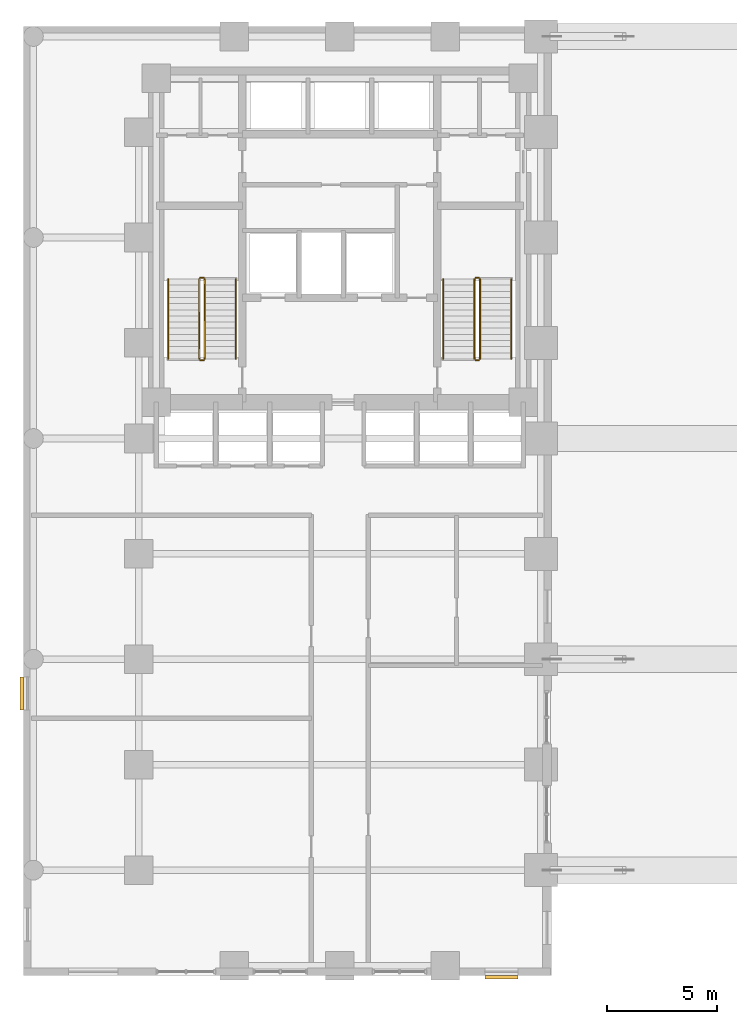
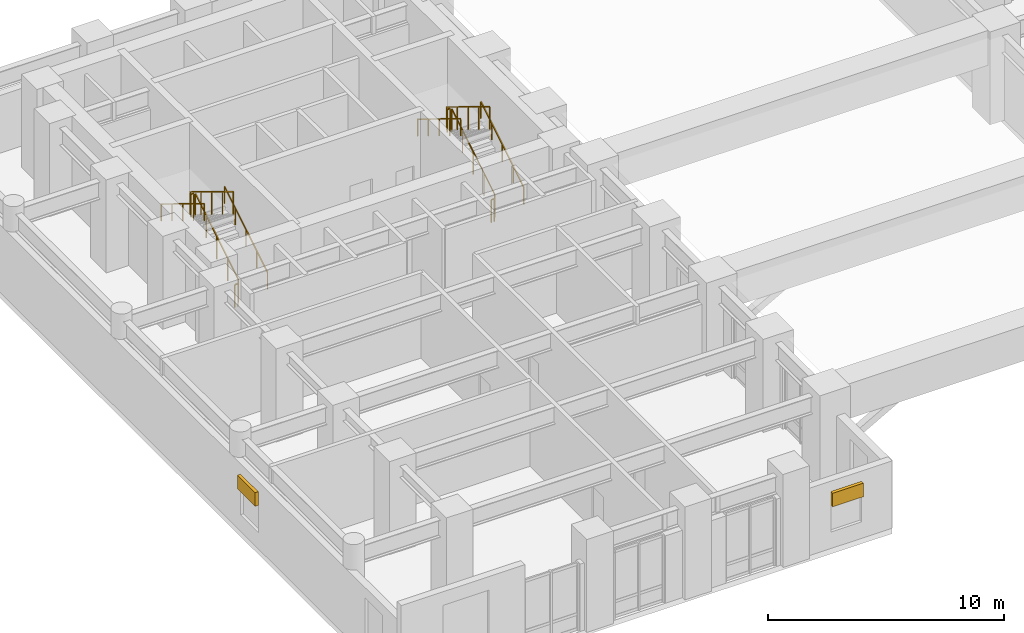
# One storey, part 10 of 12: 12 railings, 2 shading devices.
"""IFC4 building model written with IfcOpenShell, lengths in metres."""

from ifc_helpers import new_model, si_unit, direction, frame, origin, origin_2d, place, context, subcontext, project, spatial, rectangle, extrude, material, type_object, element, save


model = new_model("IFC4")

# Units and contexts
model_context = context("Model", 3, precision=1e-05, world=origin(), true_north=direction((0.0, 1.0)))
body_context = subcontext(model_context, "Body", "Model", "MODEL_VIEW")
ifc_project = project(units=[si_unit("LENGTHUNIT", "METRE"), si_unit("AREAUNIT", "SQUARE_METRE"), si_unit("VOLUMEUNIT", "CUBIC_METRE"), si_unit("PLANEANGLEUNIT", "RADIAN"), si_unit("MASSUNIT", "GRAM", prefix="KILO")], contexts=[model_context])

# Site, building, storey
site_placement = place(None, origin())
site = spatial("IfcSite", under=ifc_project, at=site_placement, CompositionType="ELEMENT")
building_placement = place(site_placement, origin())
building = spatial("IfcBuilding", under=site, at=building_placement, Name="Orvandelia Arch Residences", CompositionType="ELEMENT")
storey_placement = place(building_placement, frame((0.0, 0.0, 10.0)))
storey = spatial("IfcBuildingStorey", under=building, at=storey_placement, Name="L02", CompositionType="ELEMENT", Elevation=10.0)

# Railings
ifc_material_1 = material(Name="Brushed Stainless Steel 304", Category="steel")
railing_type_1 = type_object("IfcRailingType", Name="RL-STAIR-GD1120", PredefinedType="GUARDRAIL", material=ifc_material_1)
railing_1_placement = place(storey_placement, frame((8.25, 32.8701171875, 0.17138671875)))
element("IfcRailing", 1, at=railing_1_placement, inside=storey, type_object=railing_type_1, Name="L02 ST-1 stair guard 1", PredefinedType="GUARDRAIL", context=body_context, shape_type="SweptSolid", body=[
    extrude(rectangle(XDim=0.048095703125, YDim=0.048095703125, at=origin_2d()), frame((0.0, 0.0, 1.17578125), z_axis=(0.0, 0.852850264322, 0.5221555579), x_axis=(-1.0, 0.0, 0.0)), (0.0, 0.0, 1.0), 4.267822265625),
    extrude(rectangle(XDim=0.0419921875, YDim=0.0419921875, at=origin_2d()), origin(), (0.0, 0.0, 1.0), 1.15185546875),
    extrude(rectangle(XDim=0.0419921875, YDim=0.0419921875, at=origin_2d()), frame((0.0, 0.909912109375, 0.55712890625)), (0.0, 0.0, 1.0), 1.15185546875),
    extrude(rectangle(XDim=0.0419921875, YDim=0.0419921875, at=origin_2d()), frame((0.0, 1.81982421875, 1.1142578125)), (0.0, 0.0, 1.0), 1.15185546875),
    extrude(rectangle(XDim=0.0419921875, YDim=0.0419921875, at=origin_2d()), frame((0.0, 2.72998046875, 1.67138671875)), (0.0, 0.0, 1.0), 1.15185546875),
    extrude(rectangle(XDim=0.0419921875, YDim=0.0419921875, at=origin_2d()), frame((0.0, 3.639892578125, 2.228515625)), (0.0, 0.0, 1.0), 1.15185546875),
])
railing_2_placement = place(storey_placement, frame((8.199951171875, 36.56005859375, 2.39990234375)))
element("IfcRailing", 2, at=railing_2_placement, inside=storey, type_object=railing_type_1, Name="L02 ST-1 stair guard 2", PredefinedType="GUARDRAIL", context=body_context, shape_type="SweptSolid", body=[
    extrude(rectangle(XDim=0.048095703125, YDim=0.048095703125, at=origin_2d()), frame((0.0, 0.0, 1.17578125), z_axis=(-1.0, 0.0, 0.0), x_axis=(0.0, -1.0, 0.0)), (0.0, 0.0, 1.0), 0.14990234375),
    extrude(rectangle(XDim=0.0419921875, YDim=0.0419921875, at=origin_2d()), origin(), (0.0, 0.0, 1.0), 1.15185546875),
    extrude(rectangle(XDim=0.0419921875, YDim=0.0419921875, at=origin_2d()), frame((-0.14990234375, 0.0, 0.0)), (0.0, 0.0, 1.0), 1.15185546875),
])
railing_3_placement = place(storey_placement, frame((8.0, 36.510009765625, 2.571533203125)))
element("IfcRailing", 3, at=railing_3_placement, inside=storey, type_object=railing_type_1, Name="L02 ST-1 stair guard 3", PredefinedType="GUARDRAIL", context=body_context, shape_type="SweptSolid", body=[
    extrude(rectangle(XDim=0.048095703125, YDim=0.048095703125, at=origin_2d()), frame((0.0, 0.0, 1.17578125), z_axis=(0.0, -0.852850264322, 0.5221555579), x_axis=(1.0, 0.0, 0.0)), (0.0, 0.0, 1.0), 4.267822265625),
    extrude(rectangle(XDim=0.0419921875, YDim=0.0419921875, at=origin_2d()), origin(), (0.0, 0.0, 1.0), 1.15185546875),
    extrude(rectangle(XDim=0.0419921875, YDim=0.0419921875, at=origin_2d()), frame((0.0, -0.909912109375, 0.55712890625)), (0.0, 0.0, 1.0), 1.15185546875),
    extrude(rectangle(XDim=0.0419921875, YDim=0.0419921875, at=origin_2d()), frame((0.0, -1.81982421875, 1.1142578125)), (0.0, 0.0, 1.0), 1.15185546875),
    extrude(rectangle(XDim=0.0419921875, YDim=0.0419921875, at=origin_2d()), frame((0.0, -2.72998046875, 1.67138671875)), (0.0, 0.0, 1.0), 1.15185546875),
    extrude(rectangle(XDim=0.0419921875, YDim=0.0419921875, at=origin_2d()), frame((0.0, -3.639892578125, 2.228515625)), (0.0, 0.0, 1.0), 1.15185546875),
])
railing_4_placement = place(storey_placement, frame((8.199951171875, 32.820068359375, 0.0)))
element("IfcRailing", 4, at=railing_4_placement, inside=storey, type_object=railing_type_1, Name="L02 ST-1 stair guard 4", PredefinedType="GUARDRAIL", context=body_context, shape_type="SweptSolid", body=[
    extrude(rectangle(XDim=0.048095703125, YDim=0.048095703125, at=origin_2d()), frame((0.0, 0.0, 1.17578125), z_axis=(-1.0, 0.0, 0.0), x_axis=(0.0, -1.0, 0.0)), (0.0, 0.0, 1.0), 0.14990234375),
    extrude(rectangle(XDim=0.0419921875, YDim=0.0419921875, at=origin_2d()), origin(), (0.0, 0.0, 1.0), 1.15185546875),
    extrude(rectangle(XDim=0.0419921875, YDim=0.0419921875, at=origin_2d()), frame((-0.14990234375, 0.0, 0.0)), (0.0, 0.0, 1.0), 1.15185546875),
])
railing_5_placement = place(storey_placement, frame((20.780029296875, 32.8701171875, 0.17138671875)))
element("IfcRailing", 5, at=railing_5_placement, inside=storey, type_object=railing_type_1, Name="L02 ST-2 stair guard 1", PredefinedType="GUARDRAIL", context=body_context, shape_type="SweptSolid", body=[
    extrude(rectangle(XDim=0.048095703125, YDim=0.048095703125, at=origin_2d()), frame((0.0, 0.0, 1.17578125), z_axis=(0.0, 0.852850264322, 0.5221555579), x_axis=(-1.0, 0.0, 0.0)), (0.0, 0.0, 1.0), 4.267822265625),
    extrude(rectangle(XDim=0.0419921875, YDim=0.0419921875, at=origin_2d()), origin(), (0.0, 0.0, 1.0), 1.15185546875),
    extrude(rectangle(XDim=0.0419921875, YDim=0.0419921875, at=origin_2d()), frame((0.0, 0.909912109375, 0.55712890625)), (0.0, 0.0, 1.0), 1.15185546875),
    extrude(rectangle(XDim=0.0419921875, YDim=0.0419921875, at=origin_2d()), frame((0.0, 1.81982421875, 1.1142578125)), (0.0, 0.0, 1.0), 1.15185546875),
    extrude(rectangle(XDim=0.0419921875, YDim=0.0419921875, at=origin_2d()), frame((0.0, 2.72998046875, 1.67138671875)), (0.0, 0.0, 1.0), 1.15185546875),
    extrude(rectangle(XDim=0.0419921875, YDim=0.0419921875, at=origin_2d()), frame((0.0, 3.639892578125, 2.228515625)), (0.0, 0.0, 1.0), 1.15185546875),
])
railing_6_placement = place(storey_placement, frame((20.72998046875, 36.56005859375, 2.39990234375)))
element("IfcRailing", 6, at=railing_6_placement, inside=storey, type_object=railing_type_1, Name="L02 ST-2 stair guard 2", PredefinedType="GUARDRAIL", context=body_context, shape_type="SweptSolid", body=[
    extrude(rectangle(XDim=0.048095703125, YDim=0.048095703125, at=origin_2d()), frame((0.0, 0.0, 1.17578125), z_axis=(-1.0, 0.0, 0.0), x_axis=(0.0, -1.0, 0.0)), (0.0, 0.0, 1.0), 0.14990234375),
    extrude(rectangle(XDim=0.0419921875, YDim=0.0419921875, at=origin_2d()), origin(), (0.0, 0.0, 1.0), 1.15185546875),
    extrude(rectangle(XDim=0.0419921875, YDim=0.0419921875, at=origin_2d()), frame((-0.14990234375, 0.0, 0.0)), (0.0, 0.0, 1.0), 1.15185546875),
])
railing_7_placement = place(storey_placement, frame((20.530029296875, 36.510009765625, 2.571533203125)))
element("IfcRailing", 7, at=railing_7_placement, inside=storey, type_object=railing_type_1, Name="L02 ST-2 stair guard 3", PredefinedType="GUARDRAIL", context=body_context, shape_type="SweptSolid", body=[
    extrude(rectangle(XDim=0.048095703125, YDim=0.048095703125, at=origin_2d()), frame((0.0, 0.0, 1.17578125), z_axis=(0.0, -0.852850264322, 0.5221555579), x_axis=(1.0, 0.0, 0.0)), (0.0, 0.0, 1.0), 4.267822265625),
    extrude(rectangle(XDim=0.0419921875, YDim=0.0419921875, at=origin_2d()), origin(), (0.0, 0.0, 1.0), 1.15185546875),
    extrude(rectangle(XDim=0.0419921875, YDim=0.0419921875, at=origin_2d()), frame((0.0, -0.909912109375, 0.55712890625)), (0.0, 0.0, 1.0), 1.15185546875),
    extrude(rectangle(XDim=0.0419921875, YDim=0.0419921875, at=origin_2d()), frame((0.0, -1.81982421875, 1.1142578125)), (0.0, 0.0, 1.0), 1.15185546875),
    extrude(rectangle(XDim=0.0419921875, YDim=0.0419921875, at=origin_2d()), frame((0.0, -2.72998046875, 1.67138671875)), (0.0, 0.0, 1.0), 1.15185546875),
    extrude(rectangle(XDim=0.0419921875, YDim=0.0419921875, at=origin_2d()), frame((0.0, -3.639892578125, 2.228515625)), (0.0, 0.0, 1.0), 1.15185546875),
])
railing_8_placement = place(storey_placement, frame((20.72998046875, 32.820068359375, 0.0)))
element("IfcRailing", 8, at=railing_8_placement, inside=storey, type_object=railing_type_1, Name="L02 ST-2 stair guard 4", PredefinedType="GUARDRAIL", context=body_context, shape_type="SweptSolid", body=[
    extrude(rectangle(XDim=0.048095703125, YDim=0.048095703125, at=origin_2d()), frame((0.0, 0.0, 1.17578125), z_axis=(-1.0, 0.0, 0.0), x_axis=(0.0, -1.0, 0.0)), (0.0, 0.0, 1.0), 0.14990234375),
    extrude(rectangle(XDim=0.0419921875, YDim=0.0419921875, at=origin_2d()), origin(), (0.0, 0.0, 1.0), 1.15185546875),
    extrude(rectangle(XDim=0.0419921875, YDim=0.0419921875, at=origin_2d()), frame((-0.14990234375, 0.0, 0.0)), (0.0, 0.0, 1.0), 1.15185546875),
])
railing_type_2 = type_object("IfcRailingType", Name="RL-STAIR-HR920", PredefinedType="HANDRAIL", material=ifc_material_1)
railing_9_placement = place(storey_placement, frame((9.669921875, 32.8701171875, 0.3427734375)))
element("IfcRailing", 9, at=railing_9_placement, inside=storey, type_object=railing_type_2, Name="L02 ST-1 stair handrail 1", PredefinedType="HANDRAIL", context=body_context, shape_type="SweptSolid", body=[
    extrude(rectangle(XDim=0.048095703125, YDim=0.048095703125, at=origin_2d()), frame((0.0, 0.0, 0.8759765625), z_axis=(0.0, 0.852824790078, 0.522197163366), x_axis=(-1.0, 0.0, 0.0)), (0.0, 0.0, 1.0), 4.26806640625),
    extrude(rectangle(XDim=0.0419921875, YDim=0.0419921875, at=origin_2d()), origin(), (0.0, 0.0, 1.0), 0.851806640625),
    extrude(rectangle(XDim=0.0419921875, YDim=0.0419921875, at=origin_2d()), frame((0.0, 0.909912109375, 0.55712890625)), (0.0, 0.0, 1.0), 0.851806640625),
    extrude(rectangle(XDim=0.0419921875, YDim=0.0419921875, at=origin_2d()), frame((0.0, 1.81982421875, 1.1142578125)), (0.0, 0.0, 1.0), 0.851806640625),
    extrude(rectangle(XDim=0.0419921875, YDim=0.0419921875, at=origin_2d()), frame((0.0, 2.72998046875, 1.671630859375)), (0.0, 0.0, 1.0), 0.851806640625),
    extrude(rectangle(XDim=0.0419921875, YDim=0.0419921875, at=origin_2d()), frame((0.0, 3.639892578125, 2.228759765625)), (0.0, 0.0, 1.0), 0.851806640625),
])
railing_10_placement = place(storey_placement, frame((6.580078125, 36.510009765625, 2.742919921875)))
element("IfcRailing", 10, at=railing_10_placement, inside=storey, type_object=railing_type_2, Name="L02 ST-1 stair handrail 2", PredefinedType="HANDRAIL", context=body_context, shape_type="SweptSolid", body=[
    extrude(rectangle(XDim=0.048095703125, YDim=0.048095703125, at=origin_2d()), frame((0.0, 0.0, 0.8759765625), z_axis=(0.0, -0.852850264322, 0.5221555579), x_axis=(1.0, 0.0, 0.0)), (0.0, 0.0, 1.0), 4.267822265625),
    extrude(rectangle(XDim=0.0419921875, YDim=0.0419921875, at=origin_2d()), origin(), (0.0, 0.0, 1.0), 0.851806640625),
    extrude(rectangle(XDim=0.0419921875, YDim=0.0419921875, at=origin_2d()), frame((0.0, -0.909912109375, 0.55712890625)), (0.0, 0.0, 1.0), 0.851806640625),
    extrude(rectangle(XDim=0.0419921875, YDim=0.0419921875, at=origin_2d()), frame((0.0, -1.81982421875, 1.1142578125)), (0.0, 0.0, 1.0), 0.851806640625),
    extrude(rectangle(XDim=0.0419921875, YDim=0.0419921875, at=origin_2d()), frame((0.0, -2.72998046875, 1.67138671875)), (0.0, 0.0, 1.0), 0.851806640625),
    extrude(rectangle(XDim=0.0419921875, YDim=0.0419921875, at=origin_2d()), frame((0.0, -3.639892578125, 2.228515625)), (0.0, 0.0, 1.0), 0.851806640625),
])
railing_11_placement = place(storey_placement, frame((22.199951171875, 32.8701171875, 0.3427734375)))
element("IfcRailing", 11, at=railing_11_placement, inside=storey, type_object=railing_type_2, Name="L02 ST-2 stair handrail 1", PredefinedType="HANDRAIL", context=body_context, shape_type="SweptSolid", body=[
    extrude(rectangle(XDim=0.048095703125, YDim=0.048095703125, at=origin_2d()), frame((0.0, 0.0, 0.8759765625), z_axis=(0.0, 0.852824790078, 0.522197163366), x_axis=(-1.0, 0.0, 0.0)), (0.0, 0.0, 1.0), 4.26806640625),
    extrude(rectangle(XDim=0.0419921875, YDim=0.0419921875, at=origin_2d()), origin(), (0.0, 0.0, 1.0), 0.851806640625),
    extrude(rectangle(XDim=0.0419921875, YDim=0.0419921875, at=origin_2d()), frame((0.0, 0.909912109375, 0.55712890625)), (0.0, 0.0, 1.0), 0.851806640625),
    extrude(rectangle(XDim=0.0419921875, YDim=0.0419921875, at=origin_2d()), frame((0.0, 1.81982421875, 1.1142578125)), (0.0, 0.0, 1.0), 0.851806640625),
    extrude(rectangle(XDim=0.0419921875, YDim=0.0419921875, at=origin_2d()), frame((0.0, 2.72998046875, 1.671630859375)), (0.0, 0.0, 1.0), 0.851806640625),
    extrude(rectangle(XDim=0.0419921875, YDim=0.0419921875, at=origin_2d()), frame((0.0, 3.639892578125, 2.228759765625)), (0.0, 0.0, 1.0), 0.851806640625),
])
railing_12_placement = place(storey_placement, frame((19.110107421875, 36.510009765625, 2.742919921875)))
element("IfcRailing", 12, at=railing_12_placement, inside=storey, type_object=railing_type_2, Name="L02 ST-2 stair handrail 2", PredefinedType="HANDRAIL", context=body_context, shape_type="SweptSolid", body=[
    extrude(rectangle(XDim=0.048095703125, YDim=0.048095703125, at=origin_2d()), frame((0.0, 0.0, 0.8759765625), z_axis=(0.0, -0.852850264322, 0.5221555579), x_axis=(1.0, 0.0, 0.0)), (0.0, 0.0, 1.0), 4.267822265625),
    extrude(rectangle(XDim=0.0419921875, YDim=0.0419921875, at=origin_2d()), origin(), (0.0, 0.0, 1.0), 0.851806640625),
    extrude(rectangle(XDim=0.0419921875, YDim=0.0419921875, at=origin_2d()), frame((0.0, -0.909912109375, 0.55712890625)), (0.0, 0.0, 1.0), 0.851806640625),
    extrude(rectangle(XDim=0.0419921875, YDim=0.0419921875, at=origin_2d()), frame((0.0, -1.81982421875, 1.1142578125)), (0.0, 0.0, 1.0), 0.851806640625),
    extrude(rectangle(XDim=0.0419921875, YDim=0.0419921875, at=origin_2d()), frame((0.0, -2.72998046875, 1.67138671875)), (0.0, 0.0, 1.0), 0.851806640625),
    extrude(rectangle(XDim=0.0419921875, YDim=0.0419921875, at=origin_2d()), frame((0.0, -3.639892578125, 2.228515625)), (0.0, 0.0, 1.0), 0.851806640625),
])

# Shading devices
ifc_material_2 = material(Name="Anodised Champagne-Bronze Extruded Aluminium", Category="aluminium")
shading_device_type = type_object("IfcShadingDeviceType", Name="SHD-JALOUSIE-SCREEN", PredefinedType="JALOUSIE", material=ifc_material_2)
for number, where, z_axis, x_axis, name in (
    (13, (21.75, 4.719970703125, 2.25), (0.0, 0.0, 1.0), (-1.0, 0.0, 0.0), "Bronze Jalousie Sun-Shade L02-001"),
    (14, (-0.080078125, 17.64990234375, 2.25), (0.0, 0.0, 1.0), (0.0, 1.0, 0.0), "Bronze Jalousie Sun-Shade L02-002"),
):
    element("IfcShadingDevice", number, at=place(storey_placement, frame(where, z_axis=z_axis, x_axis=x_axis)), inside=storey, type_object=shading_device_type, Name=name, PredefinedType="JALOUSIE", context=body_context, shape_type="SweptSolid", body=[
        extrude(rectangle(XDim=1.5, YDim=0.159912109375, at=origin_2d()), origin(), (0.0, 0.0, 1.0), 0.699951171875),
    ])

save(model, "model.ifc")
